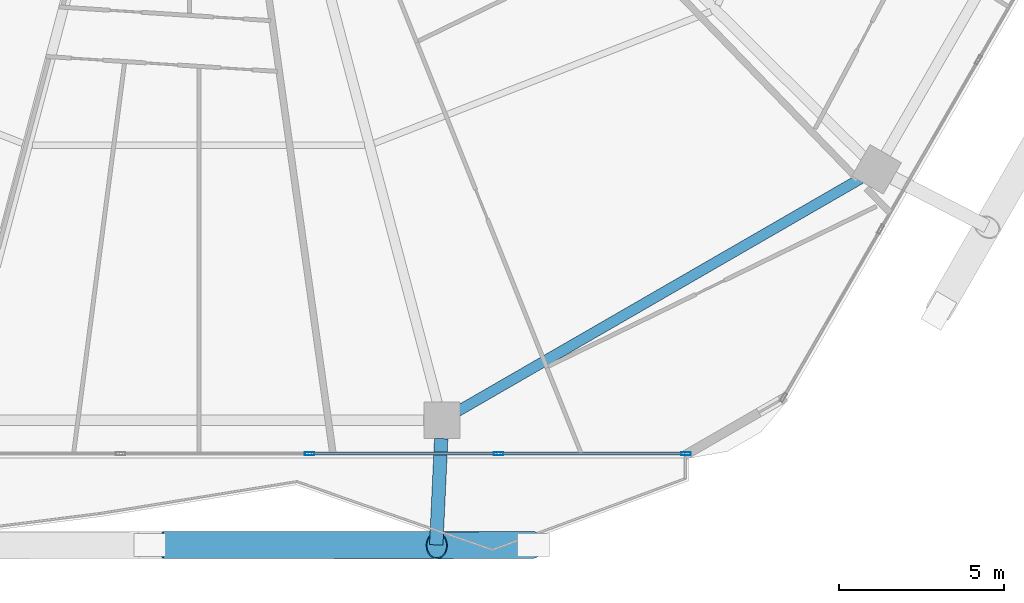
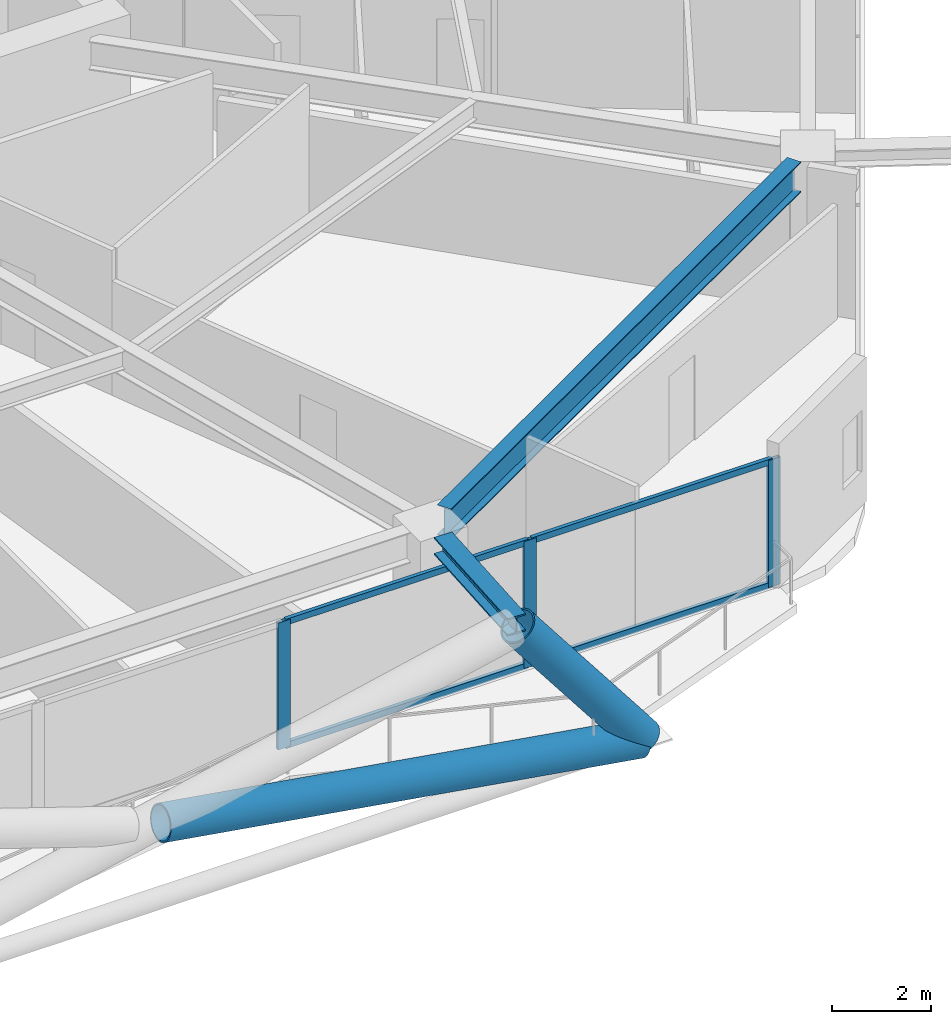
# One storey, part 8 of 35: 9 members, 2 beams, 1 element without a shape of its own.
"""IFC4 building model written with IfcOpenShell, lengths in metres."""

from ifc_helpers import new_model, si_unit, direction, frame, origin, origin_2d, place, context, subcontext, project, spatial, hollow_rectangle, hollow_circle, i_section, extrude, material, material_profile, profile_set, type_object, element, aggregate, save


model = new_model("IFC4")

# Units and contexts
model_context = context("Model", 3, precision=1e-05, world=origin(), true_north=direction((0.0, 1.0)))
body_context = subcontext(model_context, "Body", "Model", "MODEL_VIEW")
ifc_project = project(units=[si_unit("LENGTHUNIT", "METRE"), si_unit("AREAUNIT", "SQUARE_METRE"), si_unit("VOLUMEUNIT", "CUBIC_METRE"), si_unit("PLANEANGLEUNIT", "RADIAN"), si_unit("MASSUNIT", "GRAM", prefix="KILO")], contexts=[model_context])

# Site, building, storey
site_placement = place(None, origin())
site = spatial("IfcSite", under=ifc_project, at=site_placement, CompositionType="ELEMENT")
building_placement = place(site_placement, origin())
building = spatial("IfcBuilding", under=site, at=building_placement, Name="Zuhravey Tower", CompositionType="ELEMENT")
storey_placement = place(building_placement, frame((0.0, 0.0, 138.0)))
storey = spatial("IfcBuildingStorey", under=building, at=storey_placement, Name="L34", CompositionType="ELEMENT", Elevation=138.0)

# Curtain wall, members
ifc_material_1 = material(Name="Thermally broken anodised aluminium", Category="aluminium")
curtain_wall_type = type_object("IfcCurtainWallType", Name="Zone 1-2 Residential Curtain Wall CW3", PredefinedType="NOTDEFINED", material=ifc_material_1)
curtain_wall_placement = place(storey_placement, origin())
curtain_wall = element("IfcCurtainWall", 1, at=curtain_wall_placement, inside=storey, type_object=curtain_wall_type, Name="L34 CW3 CW-L34-F5-1", PredefinedType="NOTDEFINED")
ifc_material_2 = material(Name="Anodised aluminium", Category="aluminium")
ifc_material_profile_1 = material_profile(ifc_material_2, hollow_rectangle(XDim=0.090087890625, YDim=0.284912109375, WallThickness=0.0048828125, at=origin_2d()), Name="ALU-RHS-90x285x5")
ifc_profile_set_1 = profile_set([ifc_material_profile_1], Name="Anodised aluminium")
member_type_1 = type_object("IfcMemberType", Name="Curtain-Wall Mullion 90x180", PredefinedType="MULLION", material=ifc_profile_set_1)
member_1_placement = place(storey_placement, frame((50.75439453125, 3.04150390625, 0.0), z_axis=(0.0, 0.0, 1.0), x_axis=(0.0, -1.0, 0.0)))
member_1 = element("IfcMember", 2, at=member_1_placement, type_object=member_type_1, Name="CW3 mullion 1", PredefinedType="MULLION", context=body_context, shape_type="SweptSolid", body=[
    extrude(hollow_rectangle(XDim=0.090087890625, YDim=0.284912109375, WallThickness=0.0048828125, at=origin_2d()), origin(), (0.0, 0.0, 1.0), 3.1220703125),
])
member_2_placement = place(storey_placement, frame((45.08203125, 3.04150390625, 0.0), z_axis=(0.0, 0.0, 1.0), x_axis=(0.0, -1.0, 0.0)))
member_2 = element("IfcMember", 3, at=member_2_placement, type_object=member_type_1, Name="CW3 mullion 2", PredefinedType="MULLION", context=body_context, shape_type="SweptSolid", body=[
    extrude(hollow_rectangle(XDim=0.090087890625, YDim=0.284912109375, WallThickness=0.0048828125, at=origin_2d()), origin(), (0.0, 0.0, 1.0), 3.1220703125),
])
member_3_placement = place(storey_placement, frame((39.36474609375, 3.04150390625, 0.0), z_axis=(0.0, 0.0, 1.0), x_axis=(0.0, -1.0, 0.0)))
member_3 = element("IfcMember", 4, at=member_3_placement, type_object=member_type_1, Name="CW3 mullion 3", PredefinedType="MULLION", context=body_context, shape_type="SweptSolid", body=[
    extrude(hollow_rectangle(XDim=0.090087890625, YDim=0.284912109375, WallThickness=0.0048828125, at=origin_2d()), origin(), (0.0, 0.0, 1.0), 3.1220703125),
])
ifc_material_profile_2 = material_profile(ifc_material_2, hollow_rectangle(XDim=0.090087890625, YDim=0.14990234375, WallThickness=0.0048828125, at=origin_2d()), Name="ALU-RHS-90x150x5")
ifc_profile_set_2 = profile_set([ifc_material_profile_2], Name="Anodised aluminium")
member_type_2 = type_object("IfcMemberType", Name="Curtain-Wall Transom 90x150", PredefinedType="USERDEFINED", material=ifc_profile_set_2)
member_4_placement = place(storey_placement, frame((50.70947265625, 3.04150390625, 0.044921875), z_axis=(-1.0, 0.0, 0.0), x_axis=(0.0, -1.0, 0.0)))
member_4 = element("IfcMember", 5, at=member_4_placement, type_object=member_type_2, Name="CW3 transom 1.1", ObjectType="TRANSOM", PredefinedType="USERDEFINED", context=body_context, shape_type="SweptSolid", body=[
    extrude(hollow_rectangle(XDim=0.090087890625, YDim=0.14990234375, WallThickness=0.0048828125, at=origin_2d()), origin(), (0.0, 0.0, 1.0), 5.58251953125),
])
member_5_placement = place(storey_placement, frame((50.70947265625, 3.04150390625, 3.076904296875), z_axis=(-1.0, 0.0, 0.0), x_axis=(0.0, -1.0, 0.0)))
member_5 = element("IfcMember", 6, at=member_5_placement, type_object=member_type_2, Name="CW3 transom 1.2", ObjectType="TRANSOM", PredefinedType="USERDEFINED", context=body_context, shape_type="SweptSolid", body=[
    extrude(hollow_rectangle(XDim=0.090087890625, YDim=0.14990234375, WallThickness=0.0048828125, at=origin_2d()), origin(), (0.0, 0.0, 1.0), 5.58251953125),
])
member_6_placement = place(storey_placement, frame((45.037109375, 3.04150390625, 0.044921875), z_axis=(-1.0, 0.0, 0.0), x_axis=(0.0, -1.0, 0.0)))
member_6 = element("IfcMember", 7, at=member_6_placement, type_object=member_type_2, Name="CW3 transom 2.1", ObjectType="TRANSOM", PredefinedType="USERDEFINED", context=body_context, shape_type="SweptSolid", body=[
    extrude(hollow_rectangle(XDim=0.090087890625, YDim=0.14990234375, WallThickness=0.0048828125, at=origin_2d()), origin(), (0.0, 0.0, 1.0), 5.62744140625),
])
member_7_placement = place(storey_placement, frame((45.037109375, 3.04150390625, 3.076904296875), z_axis=(-1.0, 0.0, 0.0), x_axis=(0.0, -1.0, 0.0)))
member_7 = element("IfcMember", 8, at=member_7_placement, type_object=member_type_2, Name="CW3 transom 2.2", ObjectType="TRANSOM", PredefinedType="USERDEFINED", context=body_context, shape_type="SweptSolid", body=[
    extrude(hollow_rectangle(XDim=0.090087890625, YDim=0.14990234375, WallThickness=0.0048828125, at=origin_2d()), origin(), (0.0, 0.0, 1.0), 5.62744140625),
])
aggregate(curtain_wall, [member_1, member_2, member_3, member_4, member_5, member_6, member_7])

# Beam
ifc_material_3 = material(Name="Steel SM460", Category="steel")
ifc_material_profile_3 = material_profile(ifc_material_3, i_section(OverallWidth=0.406982421875, OverallDepth=0.427978515625, WebThickness=0.02001953125, FlangeThickness=0.034912109375, at=origin_2d()), Name="H-428x407x20x35")
ifc_profile_set_3 = profile_set([ifc_material_profile_3], Name="Steel SM460")
beam_type_1 = type_object("IfcBeamType", Name="Exoskeleton Node Tie Beam H428x407", PredefinedType="BEAM", material=ifc_profile_set_3)
beam_1_placement = place(storey_placement, frame((43.34423828125, 3.49755859375, 3.3359375), z_axis=(-0.04648427544, -0.998919021811, 0.0), x_axis=(0.998919021811, -0.04648427544, 0.0)))
element("IfcBeam", 9, at=beam_1_placement, inside=storey, type_object=beam_type_1, Name="L34 Exoskeleton Node Tie NT1-10", PredefinedType="BEAM", context=body_context, shape_type="SweptSolid", body=[
    extrude(i_section(OverallWidth=0.406982421875, OverallDepth=0.427978515625, WebThickness=0.02001953125, FlangeThickness=0.034912109375, at=origin_2d()), origin(), (0.0, 0.0, 1.0), 3.219482421875),
])

# Members
ifc_material_profile_4 = material_profile(ifc_material_3, hollow_circle(Radius=0.406494140625, WallThickness=0.035888671875, at=origin_2d()), Name="CHS-812.8x36")
ifc_profile_set_4 = profile_set([ifc_material_profile_4], Name="Steel SM460")
member_type_3 = type_object("IfcMemberType", Name="Exoskeleton Zone 1 Diagrid CHS813x36", PredefinedType="BRACE", material=ifc_profile_set_4)
member_8_placement = place(storey_placement, frame((46.119873046875, 0.281494140625, -0.44189453125), z_axis=(-0.612324613998, -0.003134855347, 0.790600240181), x_axis=(0.005119530055, -0.99998689512, 0.0)))
element("IfcMember", 10, at=member_8_placement, inside=storey, type_object=member_type_3, Name="L34 Face 5 Diagrid Brace 4", PredefinedType="BRACE", context=body_context, shape_type="SweptSolid", body=[
    extrude(hollow_circle(Radius=0.406494140625, WallThickness=0.035888671875, at=origin_2d()), origin(), (0.0, 0.0, 1.0), 4.750732421875),
])
member_9_placement = place(storey_placement, frame((46.064453125, 0.281494140625, -0.4521484375), z_axis=(-0.986866919848, -0.000648557638, 0.16153408892), x_axis=(0.000657188405, -0.999999784052, 0.0)))
element("IfcMember", 11, at=member_9_placement, inside=storey, type_object=member_type_3, Name="L34 Face 5 Split Diagrid Brace 3A", PredefinedType="BRACE", context=body_context, shape_type="SweptSolid", body=[
    extrude(hollow_circle(Radius=0.406494140625, WallThickness=0.035888671875, at=origin_2d()), origin(), (0.0, 0.0, 1.0), 11.29296875),
])

# Beam
ifc_material_4 = material(Name="Steel SM355", Category="steel")
ifc_material_profile_5 = material_profile(ifc_material_4, i_section(OverallWidth=0.320068359375, OverallDepth=0.75, WebThickness=0.013916015625, FlangeThickness=0.02490234375, at=origin_2d()), Name="H-750x320x14x25")
ifc_profile_set_5 = profile_set([ifc_material_profile_5], Name="Steel SM355")
beam_type_2 = type_object("IfcBeamType", Name="Perimeter Ring Beam H750x320", PredefinedType="BEAM", material=ifc_profile_set_5)
beam_2_placement = place(storey_placement, frame((43.848876953125, 4.327880859375, 3.175048828125), z_axis=(0.866017786538, 0.500013193225, 0.0), x_axis=(-0.500013193225, 0.866017786538, 0.0)))
element("IfcBeam", 12, at=beam_2_placement, inside=storey, type_object=beam_type_2, Name="L34 PB1 BM-L34-PB-10", PredefinedType="BEAM", context=body_context, shape_type="SweptSolid", body=[
    extrude(i_section(OverallWidth=0.320068359375, OverallDepth=0.75, WebThickness=0.013916015625, FlangeThickness=0.02490234375, at=origin_2d()), origin(), (0.0, 0.0, 1.0), 14.0771484375),
])

save(model, "model.ifc")
